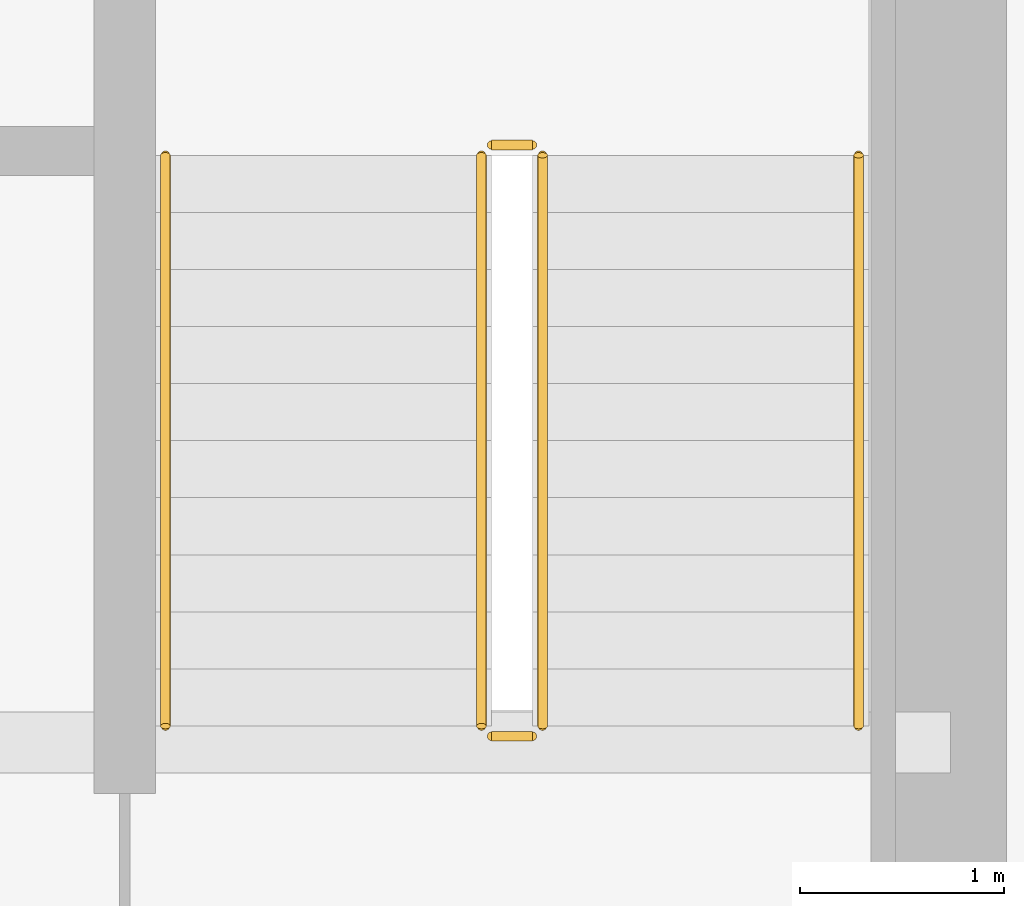
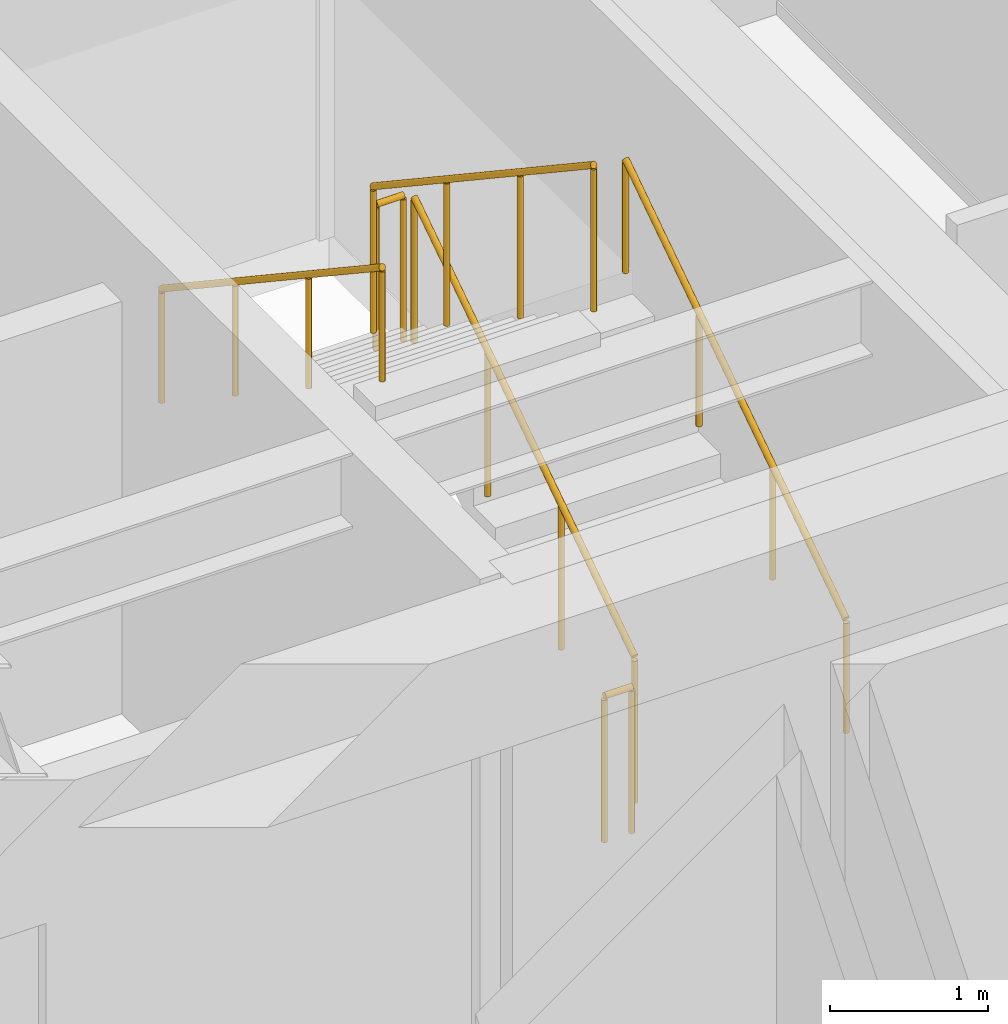
# One storey, part 33 of 33: 6 railings.
"""IFC4 building model written with IfcOpenShell, lengths in metres."""

import ifcopenshell
import ifcopenshell.guid

model = None  # the IFC model being written
_history = None  # IfcOwnerHistory: only IFC2X3 demands one
_inside = {}  # id of a spatial element -> (the spatial element, [elements in it])
_under = {}  # id of a project, library or spatial element -> (it, [spatial elements below it])
_declared = {}  # id of a project -> (the project, [libraries it declares])
_typed = {}  # id of a type object -> (the type object, [elements of that type])
_made_of = {}  # id of a material, layer set ... -> (it, [elements and type objects made of it])


def new_model(schema):
    """Start an empty IFC model of exactly this schema.

    Asked for "IFC4X3", IfcOpenShell would pick the latest addendum, in which some entities
    have other attributes; the version numbers below select the first issue.
    IFC2X3 requires an IfcOwnerHistory on every rooted entity: one is made here for all.
    """
    global model, _history
    if schema == "IFC4X3":
        model = ifcopenshell.file(schema_version=(4, 3, 0, 0))
    else:
        model = ifcopenshell.file(schema=schema)
    _inside.clear()
    _under.clear()
    _declared.clear()
    _typed.clear()
    _made_of.clear()
    _history = None
    if model.schema == "IFC2X3":
        org = make("IfcOrganization", Name="unknown")
        user = make(
            "IfcPersonAndOrganization",
            ThePerson=make("IfcPerson", FamilyName="unknown"),
            TheOrganization=org,
        )
        app = make(
            "IfcApplication",
            ApplicationDeveloper=org,
            Version="unknown",
            ApplicationFullName="unknown",
            ApplicationIdentifier="unknown",
        )
        _history = make(
            "IfcOwnerHistory",
            OwningUser=user,
            OwningApplication=app,
            ChangeAction="ADDED",
            CreationDate=0,
        )
    return model


def make(cls, **values):
    """One entity of the class cls with the attributes given. An attribute that is None is left unset."""
    return model.create_entity(
        cls, **{name: value for name, value in values.items() if value is not None}
    )


def rooted(cls, **values):
    """An entity with a GlobalId (a new one), such as an element, a storey or a relation."""
    return make(cls, GlobalId=ifcopenshell.guid.new(), OwnerHistory=_history, **values)


def si_unit(unit_type, name, prefix=None):
    """IfcSIUnit, for example si_unit("LENGTHUNIT", "METRE", prefix="MILLI")."""
    return make("IfcSIUnit", UnitType=unit_type, Prefix=prefix, Name=name)


def assignment(units):
    """IfcUnitAssignment: the units of a project."""
    return None if units is None else make("IfcUnitAssignment", Units=units)


def point(xyz):
    """IfcCartesianPoint."""
    return None if xyz is None else make("IfcCartesianPoint", Coordinates=xyz)


def direction(xyz):
    """IfcDirection."""
    return None if xyz is None else make("IfcDirection", DirectionRatios=xyz)


def frame(location, z_axis=None, x_axis=None):
    """IfcAxis2Placement3D, a coordinate frame: its origin and axes. An axis left out is left unset."""
    return make(
        "IfcAxis2Placement3D",
        Location=point(location),
        Axis=direction(z_axis),
        RefDirection=direction(x_axis),
    )


def frame_2d(location, x_axis=None):
    """IfcAxis2Placement2D, a coordinate frame in the plane: its origin and x axis."""
    return make(
        "IfcAxis2Placement2D", Location=point(location), RefDirection=direction(x_axis)
    )


def origin():
    """The frame at (0, 0, 0) with its axes left unset."""
    return frame((0.0, 0.0, 0.0))


def origin_2d():
    """The frame at (0, 0) in the plane with its x axis left unset."""
    return frame_2d((0.0, 0.0))


def place(relative_to, where):
    """IfcLocalPlacement: puts the frame where relative to a parent placement (None: the world)."""
    return make(
        "IfcLocalPlacement", PlacementRelTo=relative_to, RelativePlacement=where
    )


def context(
    kind, dimensions, precision=None, world=None, true_north=None, identifier=None
):
    """IfcGeometricRepresentationContext, for example the 3D "Model" context."""
    return make(
        "IfcGeometricRepresentationContext",
        ContextIdentifier=identifier,
        ContextType=kind,
        CoordinateSpaceDimension=dimensions,
        Precision=precision,
        WorldCoordinateSystem=world,
        TrueNorth=true_north,
    )


def subcontext(parent, identifier, kind, view, scale=None):
    """IfcGeometricRepresentationSubContext, for example "Body" below "Model"."""
    return make(
        "IfcGeometricRepresentationSubContext",
        ContextIdentifier=identifier,
        ContextType=kind,
        ParentContext=parent,
        TargetScale=scale,
        TargetView=view,
    )


def project(units=None, contexts=None):
    """IfcProject with its units and contexts."""
    return rooted(
        "IfcProject",
        Name="project",
        RepresentationContexts=contexts,
        UnitsInContext=assignment(units),
    )


def spatial(cls, under=None, at=None, **own):
    """A site, building, storey or space (cls), placed at a placement, below another one or the project."""
    s = rooted(cls, ObjectPlacement=at, **own)
    if under is not None:
        _under.setdefault(under.id(), (under, []))[1].append(s)
    return s


def profile(cls, at=None, kind="AREA", **sizes):
    """A parametric profile (cls). Its sizes go by their IFC names, for example OverallWidth=200.0."""
    return make(cls, ProfileType=kind, Position=at, **sizes)


def circle(**sizes):
    """IfcCircleProfileDef."""
    return profile("IfcCircleProfileDef", **sizes)


def extrude(swept, where, along, depth):
    """IfcExtrudedAreaSolid: the profile swept, set in the frame where, extruded along a direction by depth."""
    return make(
        "IfcExtrudedAreaSolid",
        SweptArea=swept,
        Position=where,
        ExtrudedDirection=direction(along),
        Depth=depth,
    )


def shape(context_of_items, identifier, shape_type, items):
    """IfcShapeRepresentation: the items that make up one representation, for example the "Body"."""
    return make(
        "IfcShapeRepresentation",
        ContextOfItems=context_of_items,
        RepresentationIdentifier=identifier,
        RepresentationType=shape_type,
        Items=items,
    )


def source(mapping_origin, context_of_items, identifier, shape_type, items):
    """IfcRepresentationMap: a shape defined once, which mapped items show again and again."""
    return make(
        "IfcRepresentationMap",
        MappingOrigin=mapping_origin,
        MappedRepresentation=shape(context_of_items, identifier, shape_type, items),
    )


def transform(
    local_origin,
    x_axis=None,
    y_axis=None,
    z_axis=None,
    scale=None,
    scale2=None,
    scale3=None,
    uniform=True,
):
    """IfcCartesianTransformationOperator3D, or its non-uniform kind. x_axis, y_axis, z_axis: its Axis1, 2, 3."""
    if uniform:
        return make(
            "IfcCartesianTransformationOperator3D",
            Axis1=direction(x_axis),
            Axis2=direction(y_axis),
            LocalOrigin=point(local_origin),
            Scale=scale,
            Axis3=direction(z_axis),
        )
    return make(
        "IfcCartesianTransformationOperator3DnonUniform",
        Axis1=direction(x_axis),
        Axis2=direction(y_axis),
        LocalOrigin=point(local_origin),
        Scale=scale,
        Axis3=direction(z_axis),
        Scale2=scale2,
        Scale3=scale3,
    )


def mapped(mapping_source, mapping_target):
    """IfcMappedItem: shows the shape of a source again, moved by a transform."""
    return make(
        "IfcMappedItem", MappingSource=mapping_source, MappingTarget=mapping_target
    )


def material(Name=None, Category=None):
    """IfcMaterial."""
    return make("IfcMaterial", Name=Name, Category=Category)


def made_of(thing, what):
    """Note that an element or type object is made of a material, layer set ...; save() writes the relation."""
    if what is not None:
        _made_of.setdefault(what.id(), (what, []))[1].append(thing)
    return thing


def type_object(cls, material=None, **own):
    """A type object (cls), such as IfcWallType, which elements share."""
    return made_of(rooted(cls, **own), material)


def type_shapes(of_type, sources):
    """Give a type object the sources (RepresentationMaps) that its elements show as mapped items."""
    of_type.RepresentationMaps = sources


def element(
    cls,
    number,
    at=None,
    inside=None,
    cuts=None,
    type_object=None,
    material=None,
    context=None,
    identifier="Body",
    shape_type=None,
    held_by="IfcProductDefinitionShape",
    body=None,
    shapes=None,
    **own,
):
    """One element of the class cls, such as IfcWall. Its Tag is "e" and its number.

    at: its placement. inside: the storey or other place that contains it. cuts: it is an
    opening in that element (IfcRelVoidsElement). A single representation is given by context,
    identifier, shape_type and body (its items); several are given by shapes. held_by: the class
    of the entity that holds the representations. save() writes the other relations.
    """
    e = rooted(cls, Tag="e%d" % number, ObjectPlacement=at, **own)
    if body is not None:
        shapes = [shape(context, identifier, shape_type, body)]
    if shapes is not None:
        e.Representation = make(held_by, Representations=shapes)
    if inside is not None:
        _inside.setdefault(inside.id(), (inside, []))[1].append(e)
    if cuts is not None:
        rooted(
            "IfcRelVoidsElement", RelatingBuildingElement=cuts, RelatedOpeningElement=e
        )
    if type_object is not None:
        _typed.setdefault(type_object.id(), (type_object, []))[1].append(e)
    return made_of(e, material)


def aggregate(whole, parts):
    """IfcRelAggregates: a whole, such as a stair, and the parts it consists of."""
    return rooted("IfcRelAggregates", RelatingObject=whole, RelatedObjects=parts)


def save(model, path):
    """Write the relations noted so far, then the file.

    IfcRelAggregates (storeys below a building ...), IfcRelContainedInSpatialStructure (elements
    in a storey), IfcRelDefinesByType, IfcRelAssociatesMaterial and IfcRelDeclares: one each for
    every whole, place, type object, material and project.
    """
    for whole, parts in _under.values():
        aggregate(whole, parts)
    for where, things in _inside.values():
        rooted(
            "IfcRelContainedInSpatialStructure",
            RelatedElements=things,
            RelatingStructure=where,
        )
    for kind, things in _typed.values():
        rooted("IfcRelDefinesByType", RelatedObjects=things, RelatingType=kind)
    for what, things in _made_of.values():
        rooted("IfcRelAssociatesMaterial", RelatedObjects=things, RelatingMaterial=what)
    for by, libraries in _declared.values():
        rooted("IfcRelDeclares", RelatingContext=by, RelatedDefinitions=libraries)
    model.write(path)


model = new_model("IFC4")

# Units and contexts
model_context = context("Model", 3, precision=1e-05, world=origin(), true_north=direction((0.0, 1.0)))
body_context = subcontext(model_context, "Body", "Model", "MODEL_VIEW")
ifc_project = project(units=[si_unit("LENGTHUNIT", "METRE"), si_unit("AREAUNIT", "SQUARE_METRE"), si_unit("VOLUMEUNIT", "CUBIC_METRE"), si_unit("PLANEANGLEUNIT", "RADIAN"), si_unit("MASSUNIT", "GRAM", prefix="KILO")], contexts=[model_context])

# Site, building, storey
site_placement = place(None, origin())
site = spatial("IfcSite", under=ifc_project, at=site_placement, CompositionType="ELEMENT")
building_placement = place(site_placement, origin())
building = spatial("IfcBuilding", under=site, at=building_placement, Name="Haelvirn Gate Laboratories", CompositionType="ELEMENT")
storey_placement = place(building_placement, frame((0.0, 0.0, 279.300048828125)))
storey = spatial("IfcBuildingStorey", under=building, at=storey_placement, Name="L67", CompositionType="ELEMENT", Elevation=279.300048828125)

# Railings
ifc_material_1 = material(Name="Galvanised steel SM355 & stainless top rail", Category="steel")
railing_type_1 = type_object("IfcRailingType", Name="RL-GUARD-1150", PredefinedType="GUARDRAIL", material=ifc_material_1)
shared_shape_1 = source(origin(), body_context, "Body", "SweptSolid", [
    extrude(circle(Radius=0.02392578125, at=origin_2d()), frame((0.0, 0.0, 1.1259765625), z_axis=(0.0, 0.832452072856, 0.554097055034), x_axis=(-1.0, 0.0, 0.0)), (0.0, 0.0, 1.0), 3.363525390625),
    extrude(circle(Radius=0.02099609375, at=origin_2d()), origin(), (0.0, 0.0, 1.0), 1.101806640625),
    extrude(circle(Radius=0.02099609375, at=origin_2d()), frame((0.0, 0.933349609375, 0.621337890625)), (0.0, 0.0, 1.0), 1.101806640625),
    extrude(circle(Radius=0.02099609375, at=origin_2d()), frame((0.0, 1.86669921875, 1.242431640625)), (0.0, 0.0, 1.0), 1.101806640625),
    extrude(circle(Radius=0.02099609375, at=origin_2d()), frame((0.0, 2.800048828125, 1.86376953125)), (0.0, 0.0, 1.0), 1.101806640625),
])
railing_1_placement = place(storey_placement, frame((65.39990234375, 26.699951171875, 0.186279296875)))
element("IfcRailing", 1, at=railing_1_placement, inside=storey, type_object=railing_type_1, Name="L67 ST2 stair guard 1", PredefinedType="GUARDRAIL", context=body_context, shape_type="MappedRepresentation", body=[
    mapped(shared_shape_1, transform((0.0, 0.0, 0.0), scale=1.0)),
])
shared_shape_2 = source(origin(), body_context, "Body", "SweptSolid", [
    extrude(circle(Radius=0.02392578125, at=origin_2d()), frame((0.0, 0.0, 1.1259765625), z_axis=(0.0, -0.832485552168, 0.554046753832), x_axis=(1.0, 0.0, 0.0)), (0.0, 0.0, 1.0), 3.363525390625),
    extrude(circle(Radius=0.02099609375, at=origin_2d()), origin(), (0.0, 0.0, 1.0), 1.101806640625),
    extrude(circle(Radius=0.02099609375, at=origin_2d()), frame((0.0, -0.933349609375, 0.62109375)), (0.0, 0.0, 1.0), 1.101806640625),
    extrude(circle(Radius=0.02099609375, at=origin_2d()), frame((0.0, -1.86669921875, 1.242431640625)), (0.0, 0.0, 1.0), 1.101806640625),
    extrude(circle(Radius=0.02099609375, at=origin_2d()), frame((0.0, -2.800048828125, 1.863525390625)), (0.0, 0.0, 1.0), 1.101806640625),
])
railing_2_placement = place(storey_placement, frame((65.10009765625, 29.5, 2.236328125)))
element("IfcRailing", 2, at=railing_2_placement, inside=storey, type_object=railing_type_1, Name="L67 ST2 stair guard 3", PredefinedType="GUARDRAIL", context=body_context, shape_type="MappedRepresentation", body=[
    mapped(shared_shape_2, transform((0.0, 0.0, 0.0), scale=1.0)),
])
ifc_material_2 = material(Name="Brushed stainless steel 316L", Category="steel")
railing_type_2 = type_object("IfcRailingType", Name="RL-HAND-920", PredefinedType="HANDRAIL", material=ifc_material_2)
shared_shape_3 = source(origin(), body_context, "Body", "SweptSolid", [
    extrude(circle(Radius=0.02392578125, at=origin_2d()), frame((0.0, 0.0, 0.8759765625), z_axis=(0.0, 0.832452072856, 0.554097055034), x_axis=(-1.0, 0.0, 0.0)), (0.0, 0.0, 1.0), 3.363525390625),
    extrude(circle(Radius=0.02099609375, at=origin_2d()), origin(), (0.0, 0.0, 1.0), 0.851806640625),
    extrude(circle(Radius=0.02099609375, at=origin_2d()), frame((0.0, 0.933349609375, 0.621337890625)), (0.0, 0.0, 1.0), 0.851806640625),
    extrude(circle(Radius=0.02099609375, at=origin_2d()), frame((0.0, 1.86669921875, 1.242431640625)), (0.0, 0.0, 1.0), 0.851806640625),
    extrude(circle(Radius=0.02099609375, at=origin_2d()), frame((0.0, 2.800048828125, 1.86376953125)), (0.0, 0.0, 1.0), 0.851806640625),
])
railing_3_placement = place(storey_placement, frame((66.949951171875, 26.699951171875, 0.186279296875)))
element("IfcRailing", 3, at=railing_3_placement, inside=storey, type_object=railing_type_2, Name="L67 ST2 stair handrail 1", PredefinedType="HANDRAIL", context=body_context, shape_type="MappedRepresentation", body=[
    mapped(shared_shape_3, transform((0.0, 0.0, 0.0), scale=1.0)),
])
shared_shape_4 = source(origin(), body_context, "Body", "SweptSolid", [
    extrude(circle(Radius=0.02392578125, at=origin_2d()), frame((0.0, 0.0, 0.8759765625), z_axis=(0.0, -0.832485552168, 0.554046753832), x_axis=(1.0, 0.0, 0.0)), (0.0, 0.0, 1.0), 3.363525390625),
    extrude(circle(Radius=0.02099609375, at=origin_2d()), origin(), (0.0, 0.0, 1.0), 0.851806640625),
    extrude(circle(Radius=0.02099609375, at=origin_2d()), frame((0.0, -0.933349609375, 0.62109375)), (0.0, 0.0, 1.0), 0.851806640625),
    extrude(circle(Radius=0.02099609375, at=origin_2d()), frame((0.0, -1.86669921875, 1.242431640625)), (0.0, 0.0, 1.0), 0.851806640625),
    extrude(circle(Radius=0.02099609375, at=origin_2d()), frame((0.0, -2.800048828125, 1.863525390625)), (0.0, 0.0, 1.0), 0.851806640625),
])
type_shapes(railing_type_2, [shared_shape_3, shared_shape_4])
railing_4_placement = place(storey_placement, frame((63.550048828125, 29.5, 2.236328125)))
element("IfcRailing", 4, at=railing_4_placement, inside=storey, type_object=railing_type_2, Name="L67 ST2 stair handrail 2", PredefinedType="HANDRAIL", context=body_context, shape_type="MappedRepresentation", body=[
    mapped(shared_shape_4, transform((0.0, 0.0, 0.0), scale=1.0)),
])
shared_shape_5 = source(origin(), body_context, "Body", "SweptSolid", [
    extrude(circle(Radius=0.02392578125, at=origin_2d()), frame((0.0, 0.0, 1.1259765625), z_axis=(-1.0, 0.0, 0.0), x_axis=(0.0, -1.0, 0.0)), (0.0, 0.0, 1.0), 0.2001953125),
    extrude(circle(Radius=0.02099609375, at=origin_2d()), origin(), (0.0, 0.0, 1.0), 1.101806640625),
    extrude(circle(Radius=0.02099609375, at=origin_2d()), frame((-0.2001953125, 0.0, 0.0)), (0.0, 0.0, 1.0), 1.101806640625),
])
type_shapes(railing_type_1, [shared_shape_1, shared_shape_2, shared_shape_5])
for number, where, name in (
    (5, (65.35009765625, 29.550048828125, 2.050048828125), "L67 ST2 stair guard 2"),
    (6, (65.35009765625, 26.64990234375, 0.0), "L67 ST2 stair guard 4"),
):
    element("IfcRailing", number, at=place(storey_placement, frame(where)), inside=storey, type_object=railing_type_1, Name=name, PredefinedType="GUARDRAIL", context=body_context, shape_type="MappedRepresentation", body=[
        mapped(shared_shape_5, transform((0.0, 0.0, 0.0), scale=1.0)),
    ])

save(model, "model.ifc")
